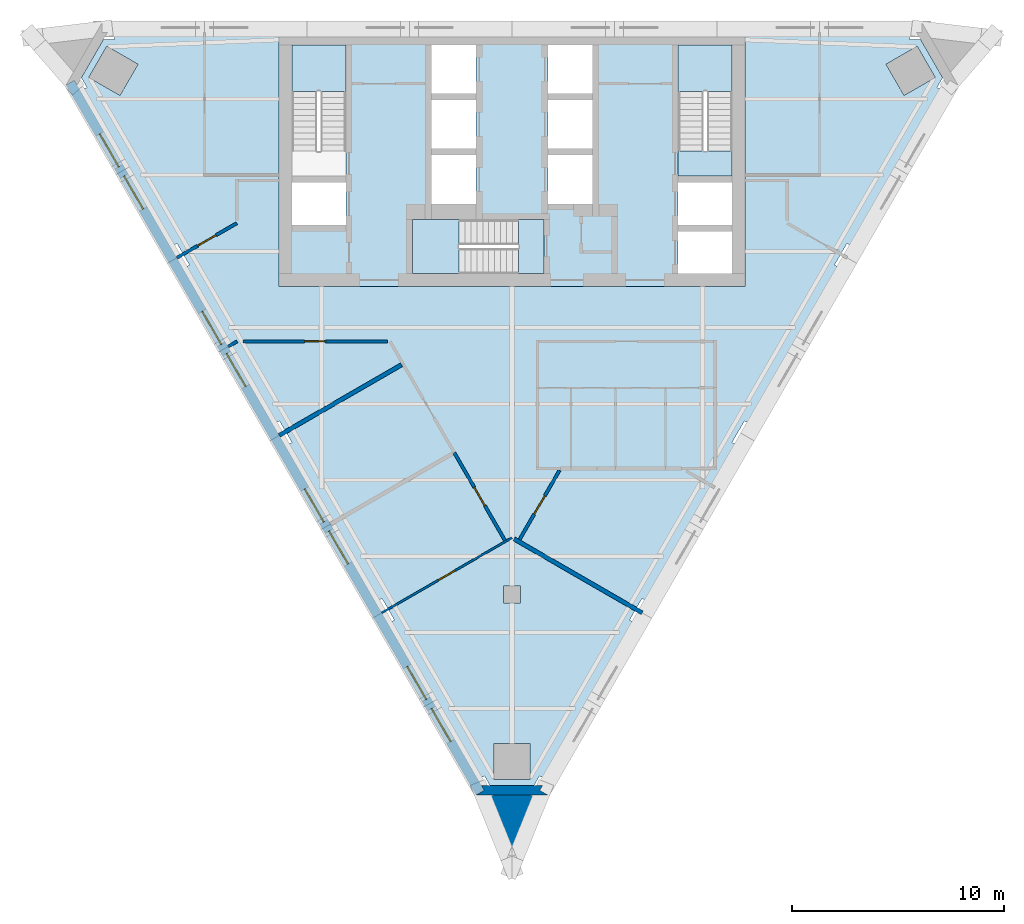
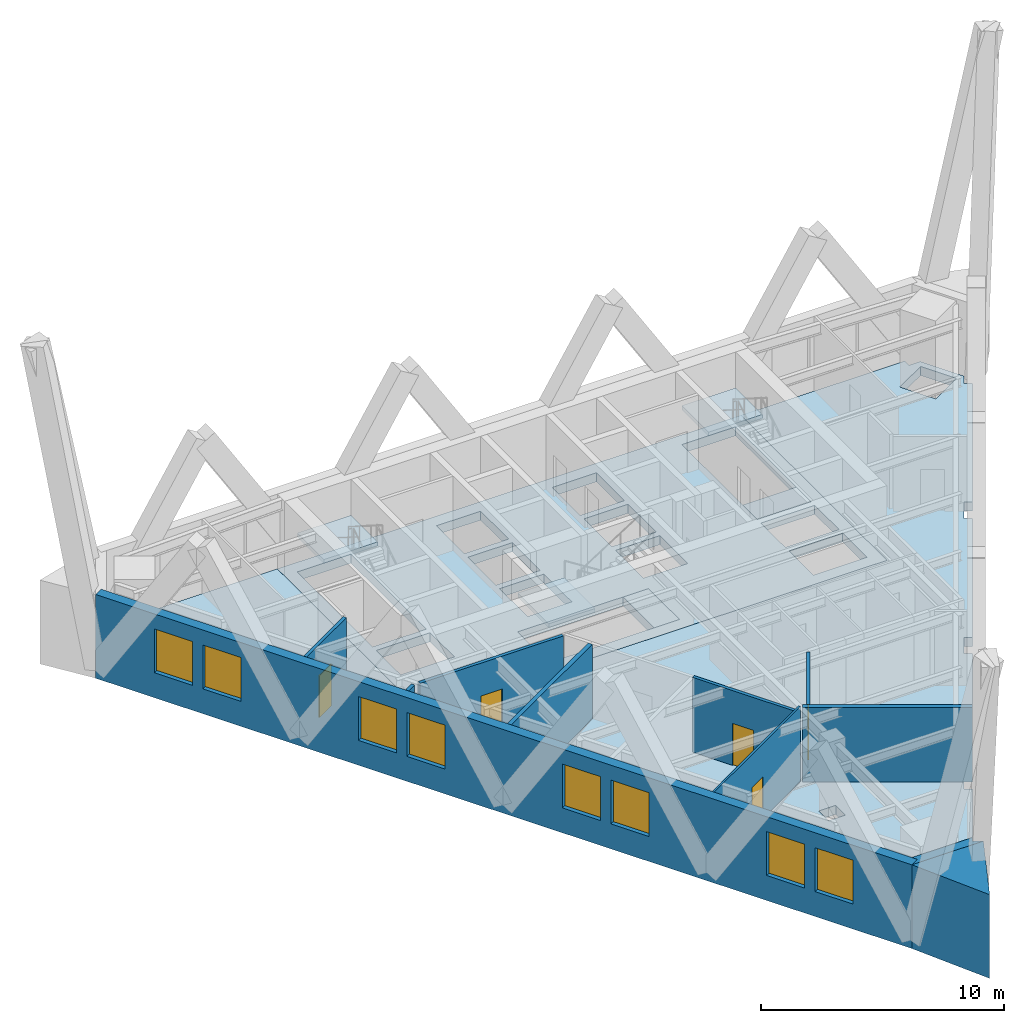
# One storey, part 2 of 6: 11 walls, 8 windows, 7 slabs, 5 doors, 13 openings, 3 elements without a shape of their own.
"""IFC4 building model written with IfcOpenShell, lengths in metres."""

from ifc_helpers import new_model, si_unit, direction, frame, frame_2d, origin, place, context, subcontext, project, spatial, polyline, rectangle, outline, extrude, material, layer, layer_set, type_object, element, fill, aggregate, save


model = new_model("IFC4")

# Units and contexts
model_context = context("Model", 3, precision=1e-05, world=origin(), true_north=direction((0.0, 1.0)))
body_context = subcontext(model_context, "Body", "Model", "MODEL_VIEW")
ifc_project = project(units=[si_unit("LENGTHUNIT", "METRE"), si_unit("AREAUNIT", "SQUARE_METRE"), si_unit("VOLUMEUNIT", "CUBIC_METRE"), si_unit("PLANEANGLEUNIT", "RADIAN"), si_unit("MASSUNIT", "GRAM", prefix="KILO")], contexts=[model_context])

# Site, building, storey
site_placement = place(None, origin())
site = spatial("IfcSite", under=ifc_project, at=site_placement, CompositionType="ELEMENT")
building_placement = place(site_placement, origin())
building = spatial("IfcBuilding", under=site, at=building_placement, Name="Aloe Facet Convention Tower", CompositionType="ELEMENT")
storey_placement = place(building_placement, frame((0.0, 0.0, 180.199951171875)))
storey = spatial("IfcBuildingStorey", under=building, at=storey_placement, Name="L45", CompositionType="ELEMENT", Elevation=180.199951171875)

# Slabs
ifc_material_1 = material(Name="Concrete C50/60", Category="concrete")
ifc_layer_1 = layer(ifc_material_1, 0.449951171875)
ifc_layer_set_1 = layer_set([ifc_layer_1], Name="CR-S-FLOOR450-C5060")
slab_type_1 = type_object("IfcSlabType", Name="CR-S-FLOOR450-C5060", PredefinedType="FLOOR", material=ifc_layer_set_1)
slab_1_placement = place(storey_placement, frame((0.0, 0.0, -0.449951171875)))
element("IfcSlab", 1, at=slab_1_placement, inside=storey, type_object=slab_type_1, Name="Stair landing floor L45", PredefinedType="FLOOR", context=body_context, shape_type="SweptSolid", body=[
    extrude(outline(polyline([(90.39990234375, 127.75), (90.39990234375, 128.951171875), (87.85009765625, 128.951171875), (87.85009765625, 127.75), (90.39990234375, 127.75)])), origin(), (0.0, 0.0, 1.0), 0.449951171875),
])
slab_2_placement = place(storey_placement, frame((0.0, 0.0, -0.449951171875)))
element("IfcSlab", 2, at=slab_2_placement, inside=storey, type_object=slab_type_1, Name="Stair landing floor L45", PredefinedType="FLOOR", context=body_context, shape_type="SweptSolid", body=[
    extrude(outline(polyline([(81.5, 125.699951171875), (80.298828125, 125.699951171875), (80.298828125, 123.14990234375), (81.5, 123.14990234375), (81.5, 125.699951171875)])), origin(), (0.0, 0.0, 1.0), 0.449951171875),
])
slab_3_placement = place(storey_placement, frame((0.0, 0.0, -0.449951171875)))
element("IfcSlab", 3, at=slab_3_placement, inside=storey, type_object=slab_type_1, Name="Core floor L45", PredefinedType="FLOOR", context=body_context, shape_type="SweptSolid", body=[
    extrude(outline(polyline([(71.85009765625, 134.550048828125), (72.75, 134.550048828125), (75.60009765625, 134.550048828125), (76.5, 134.550048828125), (78.0, 134.550048828125), (78.89990234375, 134.550048828125), (81.10009765625, 134.550048828125), (82.0, 134.550048828125), (83.5, 134.550048828125), (84.39990234375, 134.550048828125), (87.25, 134.550048828125), (88.14990234375, 134.550048828125), (91.0, 134.550048828125), (91.0, 128.050048828125), (91.0, 127.14990234375), (91.0, 125.75), (91.0, 124.85009765625), (91.0, 122.550048828125), (88.14990234375, 122.550048828125), (87.25, 122.550048828125), (85.300048828125, 122.550048828125), (84.39990234375, 122.550048828125), (82.10009765625, 122.550048828125), (81.199951171875, 122.550048828125), (75.60009765625, 122.550048828125), (74.699951171875, 122.550048828125), (72.75, 122.550048828125), (71.85009765625, 122.550048828125), (69.0, 122.550048828125), (69.0, 124.85009765625), (69.0, 125.75), (69.0, 127.14990234375), (69.0, 128.050048828125), (69.0, 134.550048828125), (71.85009765625, 134.550048828125)]), holes=[polyline([(80.298828125, 123.14990234375), (81.5, 123.14990234375), (81.5, 125.699951171875), (80.298828125, 125.699951171875), (75.300048828125, 125.699951171875), (75.300048828125, 123.14990234375), (80.298828125, 123.14990234375)]), polyline([(69.60009765625, 125.449951171875), (72.14990234375, 125.449951171875), (72.14990234375, 127.449951171875), (69.60009765625, 127.449951171875), (69.60009765625, 125.449951171875)]), polyline([(76.199951171875, 126.449951171875), (78.300048828125, 126.449951171875), (78.300048828125, 128.75), (76.199951171875, 128.75), (76.199951171875, 126.449951171875)]), polyline([(78.300048828125, 129.050048828125), (78.300048828125, 131.35009765625), (76.199951171875, 131.35009765625), (76.199951171875, 129.050048828125), (78.300048828125, 129.050048828125)]), polyline([(69.60009765625, 133.949951171875), (69.60009765625, 128.951171875), (69.60009765625, 127.75), (72.14990234375, 127.75), (72.14990234375, 128.951171875), (72.14990234375, 133.949951171875), (69.60009765625, 133.949951171875)]), polyline([(76.199951171875, 131.64990234375), (78.300048828125, 131.64990234375), (78.300048828125, 133.949951171875), (76.199951171875, 133.949951171875), (76.199951171875, 131.64990234375)]), polyline([(90.39990234375, 123.14990234375), (90.39990234375, 125.14990234375), (87.85009765625, 125.14990234375), (87.85009765625, 123.14990234375), (90.39990234375, 123.14990234375)]), polyline([(87.85009765625, 125.449951171875), (90.39990234375, 125.449951171875), (90.39990234375, 127.449951171875), (87.85009765625, 127.449951171875), (87.85009765625, 125.449951171875)]), polyline([(81.699951171875, 126.449951171875), (83.800048828125, 126.449951171875), (83.800048828125, 128.75), (81.699951171875, 128.75), (81.699951171875, 126.449951171875)]), polyline([(83.800048828125, 129.050048828125), (83.800048828125, 131.35009765625), (81.699951171875, 131.35009765625), (81.699951171875, 129.050048828125), (83.800048828125, 129.050048828125)]), polyline([(87.85009765625, 133.949951171875), (87.85009765625, 128.951171875), (87.85009765625, 127.75), (90.39990234375, 127.75), (90.39990234375, 128.951171875), (90.39990234375, 133.949951171875), (87.85009765625, 133.949951171875)]), polyline([(81.699951171875, 131.64990234375), (83.800048828125, 131.64990234375), (83.800048828125, 133.949951171875), (81.699951171875, 133.949951171875), (81.699951171875, 131.64990234375)])]), origin(), (0.0, 0.0, 1.0), 0.449951171875),
])

# Stair, slab
ifc_material_2 = material(Name="Concrete C50/60", Category="concrete")
stair_type = type_object("IfcStairType", Name="CR-ST-22R", PredefinedType="HALF_TURN_STAIR", material=ifc_material_2)
stair_1_placement = place(storey_placement, origin())
stair_1 = element("IfcStair", 4, at=stair_1_placement, inside=storey, type_object=stair_type, Name="L45 Protected exit stair ST1", PredefinedType="HALF_TURN_STAIR")
ifc_material_3 = material(Name="Concrete C50/60", Category="concrete")
ifc_layer_2 = layer(ifc_material_3, 0.199951171875)
ifc_layer_set_2 = layer_set([ifc_layer_2], Name="CR-SL-LANDING")
slab_type_2 = type_object("IfcSlabType", Name="CR-SL-LANDING", PredefinedType="LANDING", material=ifc_layer_set_2)
slab_4_placement = place(storey_placement, frame((0.0, 0.0, 1.75)))
slab_4 = element("IfcSlab", 5, at=slab_4_placement, type_object=slab_type_2, Name="ST1 landing 1", PredefinedType="LANDING", context=body_context, shape_type="SweptSolid", body=[
    extrude(outline(polyline([(72.14990234375, 131.75), (72.14990234375, 133.949951171875), (69.60009765625, 133.949951171875), (69.60009765625, 131.75), (72.14990234375, 131.75)])), origin(), (0.0, 0.0, 1.0), 0.199951171875),
])
aggregate(stair_1, [slab_4])

stair_2_placement = place(storey_placement, origin())
stair_2 = element("IfcStair", 6, at=stair_2_placement, inside=storey, type_object=stair_type, Name="L45 Protected exit stair ST2", PredefinedType="HALF_TURN_STAIR")
slab_5_placement = place(storey_placement, frame((0.0, 0.0, 1.75)))
slab_5 = element("IfcSlab", 7, at=slab_5_placement, type_object=slab_type_2, Name="ST2 landing 1", PredefinedType="LANDING", context=body_context, shape_type="SweptSolid", body=[
    extrude(outline(polyline([(90.39990234375, 131.75), (90.39990234375, 133.949951171875), (87.85009765625, 133.949951171875), (87.85009765625, 131.75), (90.39990234375, 131.75)])), origin(), (0.0, 0.0, 1.0), 0.199951171875),
])
aggregate(stair_2, [slab_5])

stair_3_placement = place(storey_placement, origin())
stair_3 = element("IfcStair", 8, at=stair_3_placement, inside=storey, type_object=stair_type, Name="L45 Protected exit stair ST3", PredefinedType="HALF_TURN_STAIR")
slab_6_placement = place(storey_placement, frame((0.0, 0.0, 1.75)))
slab_6 = element("IfcSlab", 9, at=slab_6_placement, type_object=slab_type_2, Name="ST3 landing 1", PredefinedType="LANDING", context=body_context, shape_type="SweptSolid", body=[
    extrude(outline(polyline([(77.5, 125.699951171875), (75.300048828125, 125.699951171875), (75.300048828125, 123.14990234375), (77.5, 123.14990234375), (77.5, 125.699951171875)])), origin(), (0.0, 0.0, 1.0), 0.199951171875),
])
aggregate(stair_3, [slab_6])

# Slab
ifc_material_4 = material(Name="Concrete C35/45", Category="concrete")
ifc_layer_3 = layer(ifc_material_4, 0.449951171875)
ifc_layer_set_3 = layer_set([ifc_layer_3], Name="SF-FS-450")
slab_type_3 = type_object("IfcSlabType", Name="SF-FS-450", PredefinedType="FLOOR", material=ifc_layer_set_3)
slab_7_placement = place(storey_placement, frame((0.0, 0.0, -0.449951171875)))
element("IfcSlab", 10, at=slab_7_placement, inside=storey, type_object=slab_type_3, Name="Floor slab L45-1", PredefinedType="FLOOR", context=body_context, shape_type="SweptSolid", body=[
    extrude(outline(polyline([(100.343017578125, 132.405517578125), (100.07763671875, 131.94580078125), (100.380615234375, 131.77099609375), (96.1279296875, 124.405029296875), (95.824951171875, 124.580078125), (95.530517578125, 124.0703125), (95.236328125, 123.560791015625), (95.53955078125, 123.3857421875), (91.286865234375, 116.02001953125), (90.983642578125, 116.19482421875), (90.689453125, 115.685302734375), (90.395263671875, 115.175537109375), (90.698486328125, 115.00048828125), (86.44580078125, 107.634765625), (86.142578125, 107.809814453125), (85.848388671875, 107.300048828125), (85.55419921875, 106.79052734375), (85.857177734375, 106.615478515625), (81.6044921875, 99.24951171875), (81.301513671875, 99.424560546875), (81.035888671875, 98.965087890625), (78.964111328125, 98.965087890625), (78.698486328125, 99.424560546875), (78.3955078125, 99.24951171875), (74.142822265625, 106.615478515625), (74.44580078125, 106.79052734375), (74.151611328125, 107.300048828125), (73.857421875, 107.809814453125), (73.55419921875, 107.634765625), (69.301513671875, 115.00048828125), (69.604736328125, 115.175537109375), (69.310546875, 115.685302734375), (69.016357421875, 116.19482421875), (68.713134765625, 116.02001953125), (64.46044921875, 123.3857421875), (64.763671875, 123.560791015625), (64.469482421875, 124.0703125), (64.175048828125, 124.580078125), (63.8720703125, 124.405029296875), (59.619384765625, 131.77099609375), (59.92236328125, 131.94580078125), (59.656982421875, 132.405517578125), (60.693115234375, 134.199951171875), (61.223876953125, 134.199951171875), (61.223876953125, 134.550048828125), (69.0, 134.550048828125), (69.0, 128.050048828125), (69.0, 127.14990234375), (69.0, 125.75), (69.0, 124.85009765625), (69.0, 122.550048828125), (71.85009765625, 122.550048828125), (72.75, 122.550048828125), (74.699951171875, 122.550048828125), (75.60009765625, 122.550048828125), (81.199951171875, 122.550048828125), (82.10009765625, 122.550048828125), (84.39990234375, 122.550048828125), (85.300048828125, 122.550048828125), (87.25, 122.550048828125), (88.14990234375, 122.550048828125), (91.0, 122.550048828125), (91.0, 124.85009765625), (91.0, 125.75), (91.0, 127.14990234375), (91.0, 128.050048828125), (91.0, 134.550048828125), (98.776123046875, 134.550048828125), (98.776123046875, 134.199951171875), (99.306884765625, 134.199951171875), (100.343017578125, 132.405517578125)]), holes=[polyline([(79.14990234375, 99.264892578125), (80.85009765625, 99.264892578125), (80.85009765625, 100.965087890625), (79.14990234375, 100.965087890625), (79.14990234375, 99.264892578125)]), polyline([(60.85986328125, 133.888916015625), (60.010009765625, 132.41650390625), (61.482177734375, 131.566650390625), (62.33203125, 133.038818359375), (60.85986328125, 133.888916015625)]), polyline([(80.39990234375, 107.60009765625), (80.39990234375, 108.39990234375), (79.60009765625, 108.39990234375), (79.60009765625, 107.60009765625), (80.39990234375, 107.60009765625)]), polyline([(99.989990234375, 132.41650390625), (99.14013671875, 133.888916015625), (97.66796875, 133.038818359375), (98.517822265625, 131.566650390625), (99.989990234375, 132.41650390625)])]), origin(), (0.0, 0.0, 1.0), 0.449951171875),
])

# Walls
ifc_material_5 = material(Name="Precast concrete C40/50", Category="concrete")
ifc_layer_4 = layer(ifc_material_5, 0.449951171875)
ifc_layer_set_4 = layer_set([ifc_layer_4], Name="EV-WALL-PIER")
wall_type_1 = type_object("IfcWallType", Name="EV-WALL-PIER", PredefinedType="SOLIDWALL", material=ifc_layer_set_4)
wall_1_placement = place(storey_placement, frame((0.0, 0.0, -0.449951171875)))
element("IfcWall", 11, at=wall_1_placement, inside=storey, type_object=wall_type_1, Name="EP-L45-B", PredefinedType="SOLIDWALL", context=body_context, shape_type="SweptSolid", body=[
    extrude(outline(polyline([(78.300048828125, 98.514892578125), (78.689697265625, 98.739990234375), (78.559814453125, 98.965087890625), (81.440185546875, 98.965087890625), (81.310302734375, 98.739990234375), (81.699951171875, 98.514892578125), (78.300048828125, 98.514892578125)])), origin(), (0.0, 0.0, 1.0), 4.199951171875),
])
ifc_material_6 = material(Name="Precast concrete C40/50", Category="concrete")
ifc_layer_5 = layer(ifc_material_6, 3.947998046875)
ifc_layer_set_5 = layer_set([ifc_layer_5], Name="EV-WALL-SPINE")
wall_type_2 = type_object("IfcWallType", Name="EV-WALL-SPINE", PredefinedType="SOLIDWALL", material=ifc_layer_set_5)
wall_2_placement = place(storey_placement, frame((0.0, 0.0, -0.449951171875)))
element("IfcWall", 12, at=wall_2_placement, inside=storey, type_object=wall_type_2, Name="SP-S-L45", PredefinedType="SOLIDWALL", context=body_context, shape_type="SweptSolid", body=[
    extrude(outline(polyline([(78.300048828125, 98.514892578125), (80.0, 95.056640625), (81.699951171875, 98.514892578125), (78.300048828125, 98.514892578125)])), origin(), (0.0, 0.0, 1.0), 4.199951171875),
])

# Wall, openings, windows
ifc_material_7 = material(Name="Precast concrete C40/50", Category="concrete")
ifc_layer_6 = layer(ifc_material_7, 0.449951171875)
ifc_layer_set_6 = layer_set([ifc_layer_6], Name="EV-WALL-STONE")
wall_type_3 = type_object("IfcWallType", Name="EV-WALL-STONE", PredefinedType="SOLIDWALL", material=ifc_layer_set_6)
wall_3_placement = place(storey_placement, frame((59.130126953125, 132.16796875, -0.449951171875), z_axis=(0.0, 0.0, 1.0), x_axis=(0.500002199942, -0.866024133644, 0.0)))
wall_3 = element("IfcWall", 13, at=wall_3_placement, inside=storey, type_object=wall_type_3, Name="EW-L45-W01", PredefinedType="SOLIDWALL", context=body_context, shape_type="SweptSolid", body=[
    extrude(outline(polyline([(38.729248046875, 0.0), (38.729248046875, 4.199951171875), (0.0, 4.199951171875), (0.0, 0.0), (38.729248046875, 0.0)])), frame((0.0, 0.22509765625, 0.0), z_axis=(0.0, -1.0, 0.0), x_axis=(1.0, 0.0, 0.0)), (0.0, 0.0, 1.0), 0.449951171875),
])
opening_1_placement = place(wall_3_placement, frame((2.791259765625, 0.0, 1.25)))
opening_1 = element("IfcOpeningElement", 14, at=opening_1_placement, cuts=wall_3, Name="Opening W-L45-W01", PredefinedType="OPENING", context=body_context, shape_type="SweptSolid", body=[
    extrude(rectangle(XDim=1.800048828125, YDim=2.199951171875, at=frame_2d((0.89990234375, 1.10009765625))), frame((0.0, 0.23486328125, 0.0), z_axis=(0.0, -1.0, 0.0), x_axis=(1.0, 0.0, 0.0)), (0.0, 0.0, 1.0), 0.469970703125),
])
opening_2_placement = place(wall_3_placement, frame((5.091064453125, 0.0, 1.25)))
opening_2 = element("IfcOpeningElement", 15, at=opening_2_placement, cuts=wall_3, Name="Opening W-L45-W02", PredefinedType="OPENING", context=body_context, shape_type="SweptSolid", body=[
    extrude(rectangle(XDim=1.800048828125, YDim=2.199951171875, at=frame_2d((0.89990234375, 1.10009765625))), frame((0.0, 0.23486328125, 0.0), z_axis=(0.0, -1.0, 0.0), x_axis=(1.0, 0.0, 0.0)), (0.0, 0.0, 1.0), 0.469970703125),
])
opening_3_placement = place(wall_3_placement, frame((12.473388671875, 0.0, 1.25)))
opening_3 = element("IfcOpeningElement", 16, at=opening_3_placement, cuts=wall_3, Name="Opening W-L45-W03", PredefinedType="OPENING", context=body_context, shape_type="SweptSolid", body=[
    extrude(rectangle(XDim=1.800048828125, YDim=2.199951171875, at=frame_2d((0.89990234375, 1.10009765625))), frame((0.0, 0.23486328125, 0.0), z_axis=(0.0, -1.0, 0.0), x_axis=(1.0, 0.0, 0.0)), (0.0, 0.0, 1.0), 0.469970703125),
])
opening_4_placement = place(wall_3_placement, frame((14.7734375, 0.0, 1.25)))
opening_4 = element("IfcOpeningElement", 17, at=opening_4_placement, cuts=wall_3, Name="Opening W-L45-W04", PredefinedType="OPENING", context=body_context, shape_type="SweptSolid", body=[
    extrude(rectangle(XDim=1.800048828125, YDim=2.199951171875, at=frame_2d((0.89990234375, 1.10009765625))), frame((0.0, 0.23486328125, 0.0), z_axis=(0.0, -1.0, 0.0), x_axis=(1.0, 0.0, 0.0)), (0.0, 0.0, 1.0), 0.469970703125),
])
opening_5_placement = place(wall_3_placement, frame((22.15576171875, 0.0, 1.25)))
opening_5 = element("IfcOpeningElement", 18, at=opening_5_placement, cuts=wall_3, Name="Opening W-L45-W05", PredefinedType="OPENING", context=body_context, shape_type="SweptSolid", body=[
    extrude(rectangle(XDim=1.800048828125, YDim=2.199951171875, at=frame_2d((0.89990234375, 1.10009765625))), frame((0.0, 0.23486328125, 0.0), z_axis=(0.0, -1.0, 0.0), x_axis=(1.0, 0.0, 0.0)), (0.0, 0.0, 1.0), 0.469970703125),
])
opening_6_placement = place(wall_3_placement, frame((24.455810546875, 0.0, 1.25)))
opening_6 = element("IfcOpeningElement", 19, at=opening_6_placement, cuts=wall_3, Name="Opening W-L45-W06", PredefinedType="OPENING", context=body_context, shape_type="SweptSolid", body=[
    extrude(rectangle(XDim=1.800048828125, YDim=2.199951171875, at=frame_2d((0.89990234375, 1.10009765625))), frame((0.0, 0.23486328125, 0.0), z_axis=(0.0, -1.0, 0.0), x_axis=(1.0, 0.0, 0.0)), (0.0, 0.0, 1.0), 0.469970703125),
])
opening_7_placement = place(wall_3_placement, frame((31.838134765625, 0.0, 1.25)))
opening_7 = element("IfcOpeningElement", 20, at=opening_7_placement, cuts=wall_3, Name="Opening W-L45-W07", PredefinedType="OPENING", context=body_context, shape_type="SweptSolid", body=[
    extrude(rectangle(XDim=1.800048828125, YDim=2.199951171875, at=frame_2d((0.89990234375, 1.10009765625))), frame((0.0, 0.23486328125, 0.0), z_axis=(0.0, -1.0, 0.0), x_axis=(1.0, 0.0, 0.0)), (0.0, 0.0, 1.0), 0.469970703125),
])
opening_8_placement = place(wall_3_placement, frame((34.13818359375, 0.0, 1.25)))
opening_8 = element("IfcOpeningElement", 21, at=opening_8_placement, cuts=wall_3, Name="Opening W-L45-W08", PredefinedType="OPENING", context=body_context, shape_type="SweptSolid", body=[
    extrude(rectangle(XDim=1.800048828125, YDim=2.199951171875, at=frame_2d((0.89990234375, 1.10009765625))), frame((0.0, 0.23486328125, 0.0), z_axis=(0.0, -1.0, 0.0), x_axis=(1.0, 0.0, 0.0)), (0.0, 0.0, 1.0), 0.469970703125),
])
ifc_material_8 = material(Name="Aluminium frame, clear double glazing", Category="aluminium")
window_type = type_object("IfcWindowType", Name="EV-WIN-O18", PartitioningType="SINGLE_PANEL", PredefinedType="WINDOW", material=ifc_material_8)
window_1_placement = place(opening_1_placement, origin())
window_1 = element("IfcWindow", 22, at=window_1_placement, inside=storey, type_object=window_type, Name="W-L45-W01", OverallHeight=2.199951171875, OverallWidth=1.800048828125, PartitioningType="SINGLE_PANEL", PredefinedType="WINDOW", context=body_context, shape_type="SweptSolid", body=[
    extrude(rectangle(XDim=1.800048828125, YDim=2.199951171875, at=frame_2d((0.89990234375, 1.10009765625))), frame((0.0, 0.030029296875, 0.0), z_axis=(0.0, -1.0, 0.0), x_axis=(1.0, 0.0, 0.0)), (0.0, 0.0, 1.0), 0.06005859375),
])
fill(opening_1, window_1)
window_2_placement = place(opening_2_placement, origin())
window_2 = element("IfcWindow", 23, at=window_2_placement, inside=storey, type_object=window_type, Name="W-L45-W02", OverallHeight=2.199951171875, OverallWidth=1.800048828125, PartitioningType="SINGLE_PANEL", PredefinedType="WINDOW", context=body_context, shape_type="SweptSolid", body=[
    extrude(rectangle(XDim=1.800048828125, YDim=2.199951171875, at=frame_2d((0.89990234375, 1.10009765625))), frame((0.0, 0.030029296875, 0.0), z_axis=(0.0, -1.0, 0.0), x_axis=(1.0, 0.0, 0.0)), (0.0, 0.0, 1.0), 0.06005859375),
])
fill(opening_2, window_2)
window_3_placement = place(opening_3_placement, origin())
window_3 = element("IfcWindow", 24, at=window_3_placement, inside=storey, type_object=window_type, Name="W-L45-W03", OverallHeight=2.199951171875, OverallWidth=1.800048828125, PartitioningType="SINGLE_PANEL", PredefinedType="WINDOW", context=body_context, shape_type="SweptSolid", body=[
    extrude(rectangle(XDim=1.800048828125, YDim=2.199951171875, at=frame_2d((0.89990234375, 1.10009765625))), frame((0.0, 0.030029296875, 0.0), z_axis=(0.0, -1.0, 0.0), x_axis=(1.0, 0.0, 0.0)), (0.0, 0.0, 1.0), 0.06005859375),
])
fill(opening_3, window_3)
window_4_placement = place(opening_4_placement, origin())
window_4 = element("IfcWindow", 25, at=window_4_placement, inside=storey, type_object=window_type, Name="W-L45-W04", OverallHeight=2.199951171875, OverallWidth=1.800048828125, PartitioningType="SINGLE_PANEL", PredefinedType="WINDOW", context=body_context, shape_type="SweptSolid", body=[
    extrude(rectangle(XDim=1.800048828125, YDim=2.199951171875, at=frame_2d((0.89990234375, 1.10009765625))), frame((0.0, 0.030029296875, 0.0), z_axis=(0.0, -1.0, 0.0), x_axis=(1.0, 0.0, 0.0)), (0.0, 0.0, 1.0), 0.06005859375),
])
fill(opening_4, window_4)
window_5_placement = place(opening_5_placement, origin())
window_5 = element("IfcWindow", 26, at=window_5_placement, inside=storey, type_object=window_type, Name="W-L45-W05", OverallHeight=2.199951171875, OverallWidth=1.800048828125, PartitioningType="SINGLE_PANEL", PredefinedType="WINDOW", context=body_context, shape_type="SweptSolid", body=[
    extrude(rectangle(XDim=1.800048828125, YDim=2.199951171875, at=frame_2d((0.89990234375, 1.10009765625))), frame((0.0, 0.030029296875, 0.0), z_axis=(0.0, -1.0, 0.0), x_axis=(1.0, 0.0, 0.0)), (0.0, 0.0, 1.0), 0.06005859375),
])
fill(opening_5, window_5)
window_6_placement = place(opening_6_placement, origin())
window_6 = element("IfcWindow", 27, at=window_6_placement, inside=storey, type_object=window_type, Name="W-L45-W06", OverallHeight=2.199951171875, OverallWidth=1.800048828125, PartitioningType="SINGLE_PANEL", PredefinedType="WINDOW", context=body_context, shape_type="SweptSolid", body=[
    extrude(rectangle(XDim=1.800048828125, YDim=2.199951171875, at=frame_2d((0.89990234375, 1.10009765625))), frame((0.0, 0.030029296875, 0.0), z_axis=(0.0, -1.0, 0.0), x_axis=(1.0, 0.0, 0.0)), (0.0, 0.0, 1.0), 0.06005859375),
])
fill(opening_6, window_6)
window_7_placement = place(opening_7_placement, origin())
window_7 = element("IfcWindow", 28, at=window_7_placement, inside=storey, type_object=window_type, Name="W-L45-W07", OverallHeight=2.199951171875, OverallWidth=1.800048828125, PartitioningType="SINGLE_PANEL", PredefinedType="WINDOW", context=body_context, shape_type="SweptSolid", body=[
    extrude(rectangle(XDim=1.800048828125, YDim=2.199951171875, at=frame_2d((0.89990234375, 1.10009765625))), frame((0.0, 0.030029296875, 0.0), z_axis=(0.0, -1.0, 0.0), x_axis=(1.0, 0.0, 0.0)), (0.0, 0.0, 1.0), 0.06005859375),
])
fill(opening_7, window_7)
window_8_placement = place(opening_8_placement, origin())
window_8 = element("IfcWindow", 29, at=window_8_placement, inside=storey, type_object=window_type, Name="W-L45-W08", OverallHeight=2.199951171875, OverallWidth=1.800048828125, PartitioningType="SINGLE_PANEL", PredefinedType="WINDOW", context=body_context, shape_type="SweptSolid", body=[
    extrude(rectangle(XDim=1.800048828125, YDim=2.199951171875, at=frame_2d((0.89990234375, 1.10009765625))), frame((0.0, 0.030029296875, 0.0), z_axis=(0.0, -1.0, 0.0), x_axis=(1.0, 0.0, 0.0)), (0.0, 0.0, 1.0), 0.06005859375),
])
fill(opening_8, window_8)

# Wall, opening, door
ifc_material_9 = material(Name="Gypsum board partition on steel studs", Category="steel")
ifc_layer_7 = layer(ifc_material_9, 0.14990234375)
ifc_layer_set_7 = layer_set([ifc_layer_7], Name="IN-W-CORR")
wall_type_4 = type_object("IfcWallType", Name="IN-W-CORR", PredefinedType="PARTITIONING", material=ifc_layer_set_7)
wall_4_placement = place(storey_placement, frame((77.273681640625, 114.692626953125, 0.0), z_axis=(0.0, 0.0, 1.0), x_axis=(0.499997407846, -0.86602690036, 0.0)))
wall_4 = element("IfcWall", 30, at=wall_4_placement, inside=storey, type_object=wall_type_4, Name="Partition L45-W003", PredefinedType="PARTITIONING", context=body_context, shape_type="SweptSolid", body=[
    extrude(rectangle(XDim=4.791015625, YDim=0.14990234375, at=frame_2d((2.3955078125, 0.0))), origin(), (0.0, 0.0, 1.0), 3.75),
])
opening_9_placement = place(wall_4_placement, frame((1.8955078125, 0.0, 0.0)))
opening_9 = element("IfcOpeningElement", 31, at=opening_9_placement, cuts=wall_4, Name="Opening L45-011", PredefinedType="OPENING", context=body_context, shape_type="SweptSolid", body=[
    extrude(rectangle(XDim=1.0, YDim=2.10009765625, at=frame_2d((0.5, 1.050048828125))), frame((0.0, 0.0849609375, 0.0), z_axis=(0.0, -1.0, 0.0), x_axis=(1.0, 0.0, 0.0)), (0.0, 0.0, 1.0), 0.169921875),
])
ifc_material_10 = material(Name="Timber door FD30S with vision panel", Category="wood")
door_type_1 = type_object("IfcDoorType", Name="IN-OFF-D-ENTRY", OperationType="SINGLE_SWING_LEFT", PredefinedType="DOOR", material=ifc_material_10)
door_1_placement = place(opening_9_placement, origin())
door_1 = element("IfcDoor", 32, at=door_1_placement, inside=storey, type_object=door_type_1, Name="Door L45-011", OperationType="SINGLE_SWING_LEFT", OverallHeight=2.10009765625, OverallWidth=1.0, PredefinedType="DOOR", context=body_context, shape_type="SweptSolid", body=[
    extrude(rectangle(XDim=1.0, YDim=2.10009765625, at=frame_2d((0.5, 1.050048828125))), frame((0.0, 0.02490234375, 0.0), z_axis=(0.0, -1.0, 0.0), x_axis=(1.0, 0.0, 0.0)), (0.0, 0.0, 1.0), 0.050048828125),
])
fill(opening_9, door_1)

wall_5_placement = place(storey_placement, frame((80.355712890625, 110.5869140625, 0.0), z_axis=(0.0, 0.0, 1.0), x_axis=(0.500008086624, 0.86602073492, 0.0)))
wall_5 = element("IfcWall", 33, at=wall_5_placement, inside=storey, type_object=wall_type_4, Name="Partition L45-W014", PredefinedType="PARTITIONING", context=body_context, shape_type="SweptSolid", body=[
    extrude(rectangle(XDim=3.7734375, YDim=0.14990234375, at=frame_2d((1.88671875, 0.0))), origin(), (0.0, 0.0, 1.0), 3.75),
])
opening_10_placement = place(wall_5_placement, frame((1.38671875, 0.0, 0.0)))
opening_10 = element("IfcOpeningElement", 34, at=opening_10_placement, cuts=wall_5, Name="Opening L45-012", PredefinedType="OPENING", context=body_context, shape_type="SweptSolid", body=[
    extrude(rectangle(XDim=1.0, YDim=2.10009765625, at=frame_2d((0.5, 1.050048828125))), frame((0.0, 0.0849609375, 0.0), z_axis=(0.0, -1.0, 0.0), x_axis=(1.0, 0.0, 0.0)), (0.0, 0.0, 1.0), 0.169921875),
])
door_2_placement = place(opening_10_placement, origin())
door_2 = element("IfcDoor", 35, at=door_2_placement, inside=storey, type_object=door_type_1, Name="Door L45-012", OperationType="SINGLE_SWING_LEFT", OverallHeight=2.10009765625, OverallWidth=1.0, PredefinedType="DOOR", context=body_context, shape_type="SweptSolid", body=[
    extrude(rectangle(XDim=1.0, YDim=2.10009765625, at=frame_2d((0.5, 1.050048828125))), frame((0.0, 0.02490234375, 0.0), z_axis=(0.0, -1.0, 0.0), x_axis=(1.0, 0.0, 0.0)), (0.0, 0.0, 1.0), 0.050048828125),
])
fill(opening_10, door_2)

# Wall
wall_6_placement = place(storey_placement, frame((66.595458984375, 119.707763671875, 0.0), z_axis=(0.0, 0.0, 1.0), x_axis=(0.865967067452, 0.500101027882, 0.0)))
element("IfcWall", 36, at=wall_6_placement, inside=storey, type_object=wall_type_4, Name="Partition L45-W032", PredefinedType="PARTITIONING", context=body_context, shape_type="SweptSolid", body=[
    extrude(rectangle(XDim=0.48388671875, YDim=0.14990234375, at=frame_2d((0.241943359375, 0.0))), origin(), (0.0, 0.0, 1.0), 3.75),
])

# Wall, opening, door
wall_7_placement = place(storey_placement, frame((67.294189453125, 119.94970703125, 0.0), z_axis=(0.0, 0.0, 1.0), x_axis=(0.999999994225, -0.000107472952, 0.0)))
wall_7 = element("IfcWall", 37, at=wall_7_placement, inside=storey, type_object=wall_type_4, Name="Partition L45-W033", PredefinedType="PARTITIONING", context=body_context, shape_type="SweptSolid", body=[
    extrude(rectangle(XDim=6.81494140625, YDim=0.14990234375, at=frame_2d((3.407470703125, 0.0))), origin(), (0.0, 0.0, 1.0), 3.75),
])
opening_11_placement = place(wall_7_placement, frame((2.907470703125, 0.0, 0.0)))
opening_11 = element("IfcOpeningElement", 38, at=opening_11_placement, cuts=wall_7, Name="Opening L45-009", PredefinedType="OPENING", context=body_context, shape_type="SweptSolid", body=[
    extrude(rectangle(XDim=1.0, YDim=2.10009765625, at=frame_2d((0.5, 1.050048828125))), frame((0.0, 0.0849609375, 0.0), z_axis=(0.0, -1.0, 0.0), x_axis=(1.0, 0.0, 0.0)), (0.0, 0.0, 1.0), 0.169921875),
])
door_3_placement = place(opening_11_placement, origin())
door_3 = element("IfcDoor", 39, at=door_3_placement, inside=storey, type_object=door_type_1, Name="Door L45-009", OperationType="SINGLE_SWING_LEFT", OverallHeight=2.10009765625, OverallWidth=1.0, PredefinedType="DOOR", context=body_context, shape_type="SweptSolid", body=[
    extrude(rectangle(XDim=1.0, YDim=2.10009765625, at=frame_2d((0.5, 1.050048828125))), frame((0.0, 0.02490234375, 0.0), z_axis=(0.0, -1.0, 0.0), x_axis=(1.0, 0.0, 0.0)), (0.0, 0.0, 1.0), 0.050048828125),
])
fill(opening_11, door_3)

wall_8_placement = place(storey_placement, frame((64.175048828125, 123.900390625, 0.0), z_axis=(0.0, 0.0, 1.0), x_axis=(0.866032230194, 0.499988176125, 0.0)))
wall_8 = element("IfcWall", 40, at=wall_8_placement, inside=storey, type_object=wall_type_4, Name="Partition L45-W035", PredefinedType="PARTITIONING", context=body_context, shape_type="SweptSolid", body=[
    extrude(rectangle(XDim=3.2607421875, YDim=0.14990234375, at=frame_2d((1.63037109375, 0.0))), origin(), (0.0, 0.0, 1.0), 3.75),
])
opening_12_placement = place(wall_8_placement, frame((1.13037109375, 0.0, 0.0)))
opening_12 = element("IfcOpeningElement", 41, at=opening_12_placement, cuts=wall_8, Name="Opening L45-008", PredefinedType="OPENING", context=body_context, shape_type="SweptSolid", body=[
    extrude(rectangle(XDim=1.0, YDim=2.10009765625, at=frame_2d((0.5, 1.050048828125))), frame((0.0, 0.0849609375, 0.0), z_axis=(0.0, -1.0, 0.0), x_axis=(1.0, 0.0, 0.0)), (0.0, 0.0, 1.0), 0.169921875),
])
door_4_placement = place(opening_12_placement, origin())
door_4 = element("IfcDoor", 42, at=door_4_placement, inside=storey, type_object=door_type_1, Name="Door L45-008", OperationType="SINGLE_SWING_LEFT", OverallHeight=2.10009765625, OverallWidth=1.0, PredefinedType="DOOR", context=body_context, shape_type="SweptSolid", body=[
    extrude(rectangle(XDim=1.0, YDim=2.10009765625, at=frame_2d((0.5, 1.050048828125))), frame((0.0, 0.02490234375, 0.0), z_axis=(0.0, -1.0, 0.0), x_axis=(1.0, 0.0, 0.0)), (0.0, 0.0, 1.0), 0.050048828125),
])
fill(opening_12, door_4)

ifc_material_11 = material(Name="Gypsum board partition on steel studs", Category="steel")
ifc_layer_8 = layer(ifc_material_11, 0.10009765625)
ifc_layer_set_8 = layer_set([ifc_layer_8], Name="IN-W-PART")
wall_type_5 = type_object("IfcWallType", Name="IN-W-PART", PredefinedType="PARTITIONING", material=ifc_layer_set_8)
wall_9_placement = place(storey_placement, frame((73.8486328125, 107.125244140625, 0.0), z_axis=(0.0, 0.0, 1.0), x_axis=(0.866024174161, 0.500002129764, 0.0)))
wall_9 = element("IfcWall", 43, at=wall_9_placement, inside=storey, type_object=wall_type_5, Name="Partition L45-W001", PredefinedType="PARTITIONING", context=body_context, shape_type="SweptSolid", body=[
    extrude(rectangle(XDim=7.10302734375, YDim=0.10009765625, at=frame_2d((3.551513671875, 0.0))), origin(), (0.0, 0.0, 1.0), 3.75),
])
opening_13_placement = place(wall_9_placement, frame((3.1015625, 0.0, 0.0)))
opening_13 = element("IfcOpeningElement", 44, at=opening_13_placement, cuts=wall_9, Name="Opening L45-014", PredefinedType="OPENING", context=body_context, shape_type="SweptSolid", body=[
    extrude(rectangle(XDim=0.89990234375, YDim=2.10009765625, at=frame_2d((0.449951171875, 1.050048828125))), frame((0.0, 0.06005859375, 0.0), z_axis=(0.0, -1.0, 0.0), x_axis=(1.0, 0.0, 0.0)), (0.0, 0.0, 1.0), 0.1201171875),
])
ifc_material_12 = material(Name="Timber door", Category="wood")
door_type_2 = type_object("IfcDoorType", Name="IN-OFF-D-ROOM", OperationType="SINGLE_SWING_LEFT", PredefinedType="DOOR", material=ifc_material_12)
door_5_placement = place(opening_13_placement, origin())
door_5 = element("IfcDoor", 45, at=door_5_placement, inside=storey, type_object=door_type_2, Name="Door L45-014", OperationType="SINGLE_SWING_LEFT", OverallHeight=2.10009765625, OverallWidth=0.89990234375, PredefinedType="DOOR", context=body_context, shape_type="SweptSolid", body=[
    extrude(rectangle(XDim=0.89990234375, YDim=2.10009765625, at=frame_2d((0.449951171875, 1.050048828125))), frame((0.0, 0.02490234375, 0.0), z_axis=(0.0, -1.0, 0.0), x_axis=(1.0, 0.0, 0.0)), (0.0, 0.0, 1.0), 0.050048828125),
])
fill(opening_13, door_5)

# Walls
ifc_material_13 = material(Name="Gypsum board partition on steel studs", Category="steel")
ifc_layer_9 = layer(ifc_material_13, 0.199951171875)
ifc_layer_set_9 = layer_set([ifc_layer_9], Name="IN-W-PARTY")
wall_type_6 = type_object("IfcWallType", Name="IN-W-PARTY", PredefinedType="PARTITIONING", material=ifc_layer_set_9)
wall_10_placement = place(storey_placement, frame((80.10009765625, 110.618896484375, 0.0), z_axis=(0.0, 0.0, 1.0), x_axis=(0.866028486751, -0.499994660107, 0.0)))
element("IfcWall", 46, at=wall_10_placement, inside=storey, type_object=wall_type_6, Name="Partition L45-W006", PredefinedType="PARTITIONING", context=body_context, shape_type="SweptSolid", body=[
    extrude(rectangle(XDim=6.9873046875, YDim=0.199951171875, at=frame_2d((3.49365234375, 0.0))), origin(), (0.0, 0.0, 1.0), 3.75),
])
wall_11_placement = place(storey_placement, frame((69.00732421875, 115.51025390625, 0.0), z_axis=(0.0, 0.0, 1.0), x_axis=(0.866030041738, 0.499991966744, 0.0)))
element("IfcWall", 47, at=wall_11_placement, inside=storey, type_object=wall_type_6, Name="Partition L45-W020", PredefinedType="PARTITIONING", context=body_context, shape_type="SweptSolid", body=[
    extrude(rectangle(XDim=6.6650390625, YDim=0.199951171875, at=frame_2d((3.33251953125, 0.0))), origin(), (0.0, 0.0, 1.0), 3.75),
])

save(model, "model.ifc")
